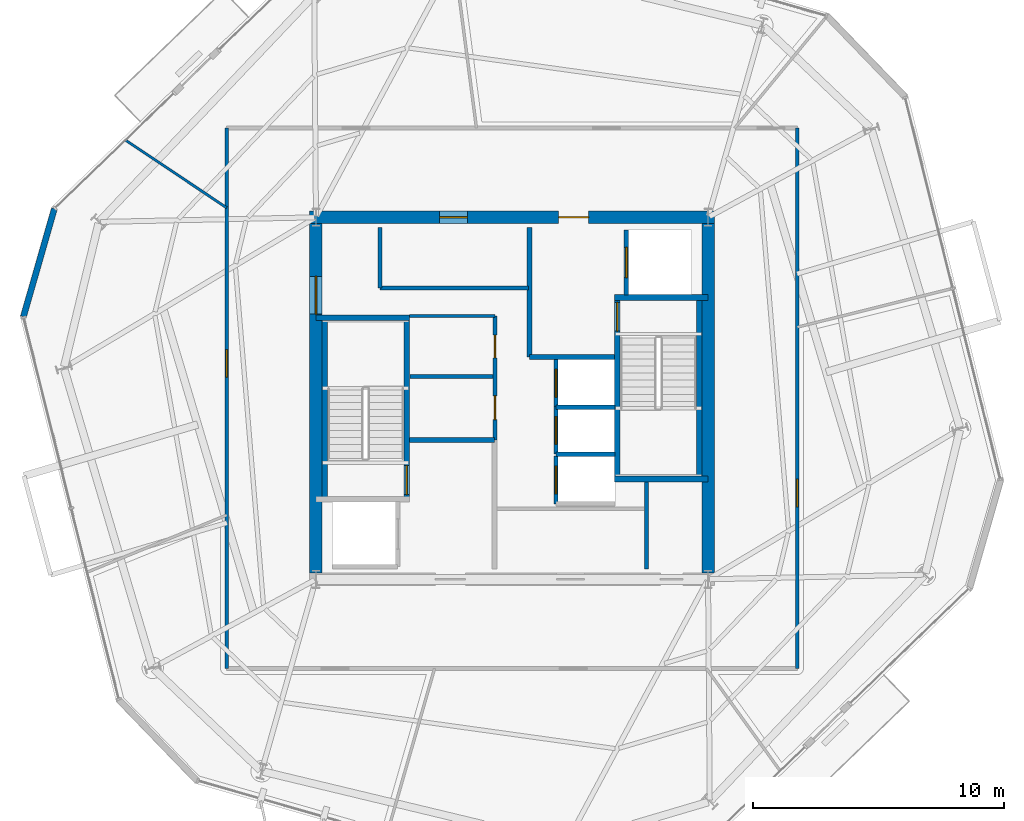
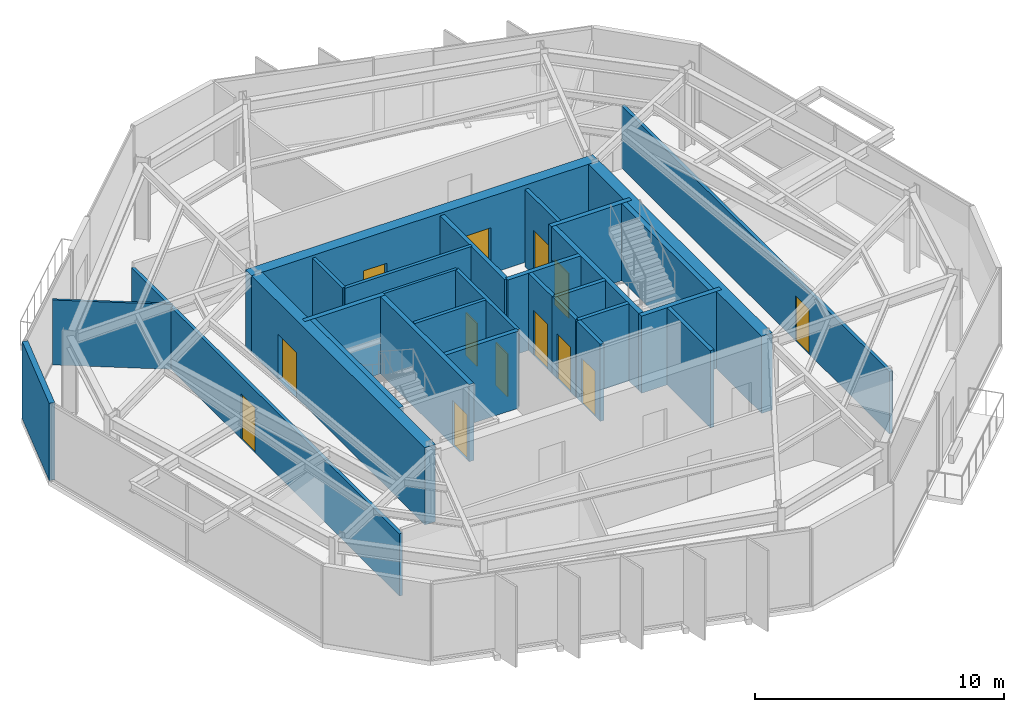
# One storey, part 7 of 10: 29 walls, 13 doors, 13 openings.
"""IFC4 building model written with IfcOpenShell, lengths in metres."""

from ifc_helpers import new_model, si_unit, direction, frame, frame_2d, origin, place, context, subcontext, project, spatial, rectangle, extrude, material, layer, layer_set, type_object, element, fill, save


model = new_model("IFC4")

# Units and contexts
model_context = context("Model", 3, precision=1e-05, world=origin(), true_north=direction((0.0, 1.0)))
body_context = subcontext(model_context, "Body", "Model", "MODEL_VIEW")
ifc_project = project(units=[si_unit("LENGTHUNIT", "METRE"), si_unit("AREAUNIT", "SQUARE_METRE"), si_unit("VOLUMEUNIT", "CUBIC_METRE"), si_unit("PLANEANGLEUNIT", "RADIAN"), si_unit("MASSUNIT", "GRAM", prefix="KILO")], contexts=[model_context])

# Site, building, storey
site_placement = place(None, origin())
site = spatial("IfcSite", under=ifc_project, at=site_placement, CompositionType="ELEMENT")
building_placement = place(site_placement, origin())
building = spatial("IfcBuilding", under=site, at=building_placement, Name="Kranzbogen Civic Tower", CompositionType="ELEMENT")
storey_placement = place(building_placement, frame((0.0, 0.0, 200.800048828125)))
storey = spatial("IfcBuildingStorey", under=building, at=storey_placement, Name="L48", CompositionType="ELEMENT", Elevation=200.800048828125)

# Walls
ifc_material_1 = material(Name="Double-Stud Acoustic Gypsum Partition")
ifc_layer_1 = layer(ifc_material_1, 0.14990234375, Name="Double-Stud Acoustic Gypsum Partition")
ifc_layer_set_1 = layer_set([ifc_layer_1], Name="Double-Stud Acoustic Gypsum Partition")
wall_type_1 = type_object("IfcWallType", Name="Acoustic Corridor and Clinical Partition 150 mm", PredefinedType="PARTITIONING", material=ifc_layer_set_1)
wall_1_placement = place(storey_placement, frame((19.75, 29.389892578125, 0.0), z_axis=(0.0, 0.0, 1.0), x_axis=(1.0, 0.0, 0.0)))
element("IfcWall", 1, at=wall_1_placement, inside=storey, type_object=wall_type_1, Name="L48 digital comms South wall", PredefinedType="PARTITIONING", context=body_context, shape_type="SweptSolid", body=[
    extrude(rectangle(XDim=5.89990234375, YDim=0.14990234375, at=frame_2d((2.949951171875, 0.0))), origin(), (0.0, 0.0, 1.0), 3.780029296875),
])
wall_2_placement = place(storey_placement, frame((19.75, 29.389892578125, 0.0), z_axis=(0.0, 0.0, 1.0), x_axis=(0.0, 1.0, 0.0)))
element("IfcWall", 2, at=wall_2_placement, inside=storey, type_object=wall_type_1, Name="L48 digital comms West wall", PredefinedType="PARTITIONING", context=body_context, shape_type="SweptSolid", body=[
    extrude(rectangle(XDim=2.41015625, YDim=0.14990234375, at=frame_2d((1.205078125, 0.0))), origin(), (0.0, 0.0, 1.0), 3.780029296875),
])

# Wall, opening, door
wall_3_placement = place(storey_placement, frame((36.35009765625, 35.75, 0.0), z_axis=(0.0, 0.0, 1.0), x_axis=(0.0, -1.0, 0.0)))
wall_3 = element("IfcWall", 3, at=wall_3_placement, inside=storey, type_object=wall_type_1, Name="L48 corridor partition 02", PredefinedType="PARTITIONING", context=body_context, shape_type="SweptSolid", body=[
    extrude(rectangle(XDim=21.5, YDim=0.14990234375, at=frame_2d((10.75, 0.0))), origin(), (0.0, 0.0, 1.0), 3.050048828125),
])
opening_1_placement = place(wall_3_placement, frame((13.968994140625, 0.0, 0.0)))
opening_1 = element("IfcOpeningElement", 4, at=opening_1_placement, cuts=wall_3, Name="Opening D-COR60", PredefinedType="OPENING", context=body_context, shape_type="SweptSolid", body=[
    extrude(rectangle(XDim=1.10009765625, YDim=2.199951171875, at=frame_2d((0.550048828125, 1.10009765625))), frame((0.0, 0.0849609375, 0.0), z_axis=(0.0, -1.0, 0.0), x_axis=(1.0, 0.0, 0.0)), (0.0, 0.0, 1.0), 0.169921875),
])
ifc_material_2 = material(Name="Oak Timber and Fire Core", Category="wood")
door_type_1 = type_object("IfcDoorType", Name="Corridor Acoustic Fire Door 1100x2200", OperationType="NOTDEFINED", PredefinedType="DOOR", material=ifc_material_2)
door_1_placement = place(opening_1_placement, origin())
door_1 = element("IfcDoor", 5, at=door_1_placement, inside=storey, type_object=door_type_1, Name="L48 Citizen Services Kiosk door", OperationType="SINGLE_SWING_RIGHT", OverallHeight=2.199951171875, OverallWidth=1.10009765625, PredefinedType="DOOR", context=body_context, shape_type="SweptSolid", body=[
    extrude(rectangle(XDim=1.10009765625, YDim=2.199951171875, at=frame_2d((0.550048828125, 1.10009765625))), frame((0.0, 0.02490234375, 0.0), z_axis=(0.0, -1.0, 0.0), x_axis=(1.0, 0.0, 0.0)), (0.0, 0.0, 1.0), 0.050048828125),
])
fill(opening_1, door_1)

wall_4_placement = place(storey_placement, frame((13.64990234375, 14.25, 0.0), z_axis=(0.0, 0.0, 1.0), x_axis=(0.0, 1.0, 0.0)))
wall_4 = element("IfcWall", 6, at=wall_4_placement, inside=storey, type_object=wall_type_1, Name="L48 corridor partition 04", PredefinedType="PARTITIONING", context=body_context, shape_type="SweptSolid", body=[
    extrude(rectangle(XDim=21.5, YDim=0.14990234375, at=frame_2d((10.75, 0.0))), origin(), (0.0, 0.0, 1.0), 3.050048828125),
])
opening_2_placement = place(wall_4_placement, frame((11.591064453125, 0.0, 0.0)))
opening_2 = element("IfcOpeningElement", 7, at=opening_2_placement, cuts=wall_4, Name="Opening D-COR60", PredefinedType="OPENING", context=body_context, shape_type="SweptSolid", body=[
    extrude(rectangle(XDim=1.10009765625, YDim=2.199951171875, at=frame_2d((0.550048828125, 1.10009765625))), frame((0.0, 0.0849609375, 0.0), z_axis=(0.0, -1.0, 0.0), x_axis=(1.0, 0.0, 0.0)), (0.0, 0.0, 1.0), 0.169921875),
])
door_2_placement = place(opening_2_placement, origin())
door_2 = element("IfcDoor", 8, at=door_2_placement, inside=storey, type_object=door_type_1, Name="L48 Civic Reference Library door", OperationType="SINGLE_SWING_LEFT", OverallHeight=2.199951171875, OverallWidth=1.10009765625, PredefinedType="DOOR", context=body_context, shape_type="SweptSolid", body=[
    extrude(rectangle(XDim=1.10009765625, YDim=2.199951171875, at=frame_2d((0.550048828125, 1.10009765625))), frame((0.0, 0.02490234375, 0.0), z_axis=(0.0, -1.0, 0.0), x_axis=(1.0, 0.0, 0.0)), (0.0, 0.0, 1.0), 0.050048828125),
])
fill(opening_2, door_2)

# Wall
ifc_material_3 = material(Name="Insulated Metal-Stud Gypsum Partition")
ifc_layer_2 = layer(ifc_material_3, 0.125, Name="Insulated Metal-Stud Gypsum Partition")
ifc_layer_set_2 = layer_set([ifc_layer_2], Name="Insulated Metal-Stud Gypsum Partition")
wall_type_2 = type_object("IfcWallType", Name="Acoustic Inter-Room Partition 125 mm", PredefinedType="PARTITIONING", material=ifc_layer_set_2)
wall_5_placement = place(storey_placement, frame((20.919921875, 28.280029296875, 0.0), z_axis=(0.0, 0.0, 1.0), x_axis=(1.0, 0.0, 0.0)))
element("IfcWall", 9, at=wall_5_placement, inside=storey, type_object=wall_type_2, Name="L48 core auxiliary North wall", PredefinedType="PARTITIONING", context=body_context, shape_type="SweptSolid", body=[
    extrude(rectangle(XDim=3.405029296875, YDim=0.125, at=frame_2d((1.70263671875, 0.0))), origin(), (0.0, 0.0, 1.0), 3.780029296875),
])

# Wall, openings, doors
ifc_material_4 = material(Name="Concrete C45/55", Category="concrete")
ifc_layer_3 = layer(ifc_material_4, 0.5, Name="Concrete C45/55")
ifc_layer_set_3 = layer_set([ifc_layer_3], Name="Concrete C45/55")
wall_type_3 = type_object("IfcWallType", Name="Central Core Shear Wall 500 mm", PredefinedType="SHEAR", material=ifc_layer_set_3)
wall_6_placement = place(storey_placement, frame((33.050048828125, 32.199951171875, 0.0), z_axis=(0.0, 0.0, 1.0), x_axis=(-1.0, 0.0, 0.0)))
wall_6 = element("IfcWall", 10, at=wall_6_placement, inside=storey, type_object=wall_type_3, Name="L48 central core North shear wall", PredefinedType="SHEAR", context=body_context, shape_type="SweptSolid", body=[
    extrude(rectangle(XDim=16.10009765625, YDim=0.5, at=frame_2d((8.050048828125, 0.0))), origin(), (0.0, 0.0, 1.0), 3.780029296875),
])
opening_3_placement = place(wall_6_placement, frame((5.0, 0.0, 0.0)))
opening_3 = element("IfcOpeningElement", 11, at=opening_3_placement, cuts=wall_6, Name="Opening D-EX120", PredefinedType="OPENING", context=body_context, shape_type="SweptSolid", body=[
    extrude(rectangle(XDim=1.199951171875, YDim=2.25, at=frame_2d((0.60009765625, 1.125))), frame((0.0, 0.260009765625, 0.0), z_axis=(0.0, -1.0, 0.0), x_axis=(1.0, 0.0, 0.0)), (0.0, 0.0, 1.0), 0.52001953125),
])
opening_4_placement = place(wall_6_placement, frame((9.824951171875, 0.0, 0.0)))
opening_4 = element("IfcOpeningElement", 12, at=opening_4_placement, cuts=wall_6, Name="Opening D-COR60", PredefinedType="OPENING", context=body_context, shape_type="SweptSolid", body=[
    extrude(rectangle(XDim=1.10009765625, YDim=2.199951171875, at=frame_2d((0.550048828125, 1.10009765625))), frame((0.0, 0.260009765625, 0.0), z_axis=(0.0, -1.0, 0.0), x_axis=(1.0, 0.0, 0.0)), (0.0, 0.0, 1.0), 0.52001953125),
])
door_3_placement = place(opening_4_placement, origin())
door_3 = element("IfcDoor", 13, at=door_3_placement, inside=storey, type_object=door_type_1, Name="L48 DAT1 comms room door", OperationType="SINGLE_SWING_RIGHT", OverallHeight=2.199951171875, OverallWidth=1.10009765625, PredefinedType="DOOR", context=body_context, shape_type="SweptSolid", body=[
    extrude(rectangle(XDim=1.10009765625, YDim=2.199951171875, at=frame_2d((0.550048828125, 1.10009765625))), frame((0.0, 0.02490234375, 0.0), z_axis=(0.0, -1.0, 0.0), x_axis=(1.0, 0.0, 0.0)), (0.0, 0.0, 1.0), 0.050048828125),
])
fill(opening_4, door_3)
ifc_material_5 = material(Name="Steel S355", Category="steel")
door_type_2 = type_object("IfcDoorType", Name="Exit Passageway Fire Door 1200x2250", OperationType="NOTDEFINED", PredefinedType="DOOR", material=ifc_material_5)
door_4_placement = place(opening_3_placement, origin())
door_4 = element("IfcDoor", 14, at=door_4_placement, inside=storey, type_object=door_type_2, Name="L48 East firefighting lobby corridor door", OperationType="SINGLE_SWING_LEFT", OverallHeight=2.25, OverallWidth=1.199951171875, PredefinedType="DOOR", context=body_context, shape_type="SweptSolid", body=[
    extrude(rectangle(XDim=1.199951171875, YDim=2.25, at=frame_2d((0.60009765625, 1.125))), frame((0.0, 0.02490234375, 0.0), z_axis=(0.0, -1.0, 0.0), x_axis=(1.0, 0.0, 0.0)), (0.0, 0.0, 1.0), 0.050048828125),
])
fill(opening_3, door_4)

# Wall, opening, door
wall_7_placement = place(storey_placement, frame((17.199951171875, 31.949951171875, 0.0), z_axis=(0.0, 0.0, 1.0), x_axis=(0.0, -1.0, 0.0)))
wall_7 = element("IfcWall", 15, at=wall_7_placement, inside=storey, type_object=wall_type_3, Name="L48 central core West shear wall", PredefinedType="SHEAR", context=body_context, shape_type="SweptSolid", body=[
    extrude(rectangle(XDim=13.89990234375, YDim=0.5, at=frame_2d((6.949951171875, 0.0))), origin(), (0.0, 0.0, 1.0), 3.780029296875),
])
opening_5_placement = place(wall_7_placement, frame((2.10009765625, 0.0, 0.0)))
opening_5 = element("IfcOpeningElement", 16, at=opening_5_placement, cuts=wall_7, Name="Opening D-DBL15", PredefinedType="OPENING", context=body_context, shape_type="SweptSolid", body=[
    extrude(rectangle(XDim=1.5, YDim=2.199951171875, at=frame_2d((0.75, 1.10009765625))), frame((0.0, 0.260009765625, 0.0), z_axis=(0.0, -1.0, 0.0), x_axis=(1.0, 0.0, 0.0)), (0.0, 0.0, 1.0), 0.52001953125),
])
ifc_material_6 = material(Name="Anodised Bronze and Glass", Category="glass")
door_type_3 = type_object("IfcDoorType", Name="Civic Lobby Double Door 1500x2200", OperationType="DOUBLE_DOOR_SINGLE_SWING", PredefinedType="DOOR", material=ifc_material_6)
door_5_placement = place(opening_5_placement, origin())
door_5 = element("IfcDoor", 17, at=door_5_placement, inside=storey, type_object=door_type_3, Name="L48 Central Lift Lobby West concourse door", OperationType="DOUBLE_DOOR_SINGLE_SWING", OverallHeight=2.199951171875, OverallWidth=1.5, PredefinedType="DOOR", context=body_context, shape_type="SweptSolid", body=[
    extrude(rectangle(XDim=1.5, YDim=2.199951171875, at=frame_2d((0.75, 1.10009765625))), frame((0.0, 0.02490234375, 0.0), z_axis=(0.0, -1.0, 0.0), x_axis=(1.0, 0.0, 0.0)), (0.0, 0.0, 1.0), 0.050048828125),
])
fill(opening_5, door_5)

# Wall
wall_8_placement = place(storey_placement, frame((32.800048828125, 18.050048828125, 0.0), z_axis=(0.0, 0.0, 1.0), x_axis=(0.0, 1.0, 0.0)))
element("IfcWall", 18, at=wall_8_placement, inside=storey, type_object=wall_type_3, Name="L48 central core East shear wall", PredefinedType="SHEAR", context=body_context, shape_type="SweptSolid", body=[
    extrude(rectangle(XDim=13.89990234375, YDim=0.5, at=frame_2d((6.949951171875, 0.0))), origin(), (0.0, 0.0, 1.0), 3.780029296875),
])

# Wall, opening, door
ifc_layer_4 = layer(ifc_material_4, 0.219970703125, Name="Concrete C45/55")
ifc_layer_set_4 = layer_set([ifc_layer_4], Name="Concrete C45/55")
wall_type_4 = type_object("IfcWallType", Name="Core Internal Stair Structural Wall 220 mm", PredefinedType="SOLIDWALL", material=ifc_layer_set_4)
wall_9_placement = place(storey_placement, frame((20.81005859375, 20.989990234375, 0.0), z_axis=(0.0, 0.0, 1.0), x_axis=(0.0, 1.0, 0.0)))
wall_9 = element("IfcWall", 19, at=wall_9_placement, inside=storey, type_object=wall_type_4, Name="L48 ST-T1 East structural stair wall", PredefinedType="SOLIDWALL", context=body_context, shape_type="SweptSolid", body=[
    extrude(rectangle(XDim=7.219970703125, YDim=0.219970703125, at=frame_2d((3.60986328125, 0.0))), origin(), (0.0, 0.0, 1.0), 3.780029296875),
])
opening_6_placement = place(wall_9_placement, frame((0.179931640625, 0.0, 0.0)))
opening_6 = element("IfcOpeningElement", 20, at=opening_6_placement, cuts=wall_9, Name="Opening D-ST90", PredefinedType="OPENING", context=body_context, shape_type="SweptSolid", body=[
    extrude(rectangle(XDim=1.14990234375, YDim=2.199951171875, at=frame_2d((0.574951171875, 1.10009765625))), frame((0.0, 0.1201171875, 0.0), z_axis=(0.0, -1.0, 0.0), x_axis=(1.0, 0.0, 0.0)), (0.0, 0.0, 1.0), 0.239990234375),
])
door_type_4 = type_object("IfcDoorType", Name="Pressurized Stair and Lobby Fire Door 1150x2200", OperationType="NOTDEFINED", PredefinedType="DOOR", material=ifc_material_5)
door_6_placement = place(opening_6_placement, origin())
door_6 = element("IfcDoor", 21, at=door_6_placement, inside=storey, type_object=door_type_4, Name="L48 Stair ST-T1 fire door", OperationType="SINGLE_SWING_RIGHT", OverallHeight=2.199951171875, OverallWidth=1.14990234375, PredefinedType="DOOR", context=body_context, shape_type="SweptSolid", body=[
    extrude(rectangle(XDim=1.14990234375, YDim=2.199951171875, at=frame_2d((0.574951171875, 1.10009765625))), frame((0.0, 0.02490234375, 0.0), z_axis=(0.0, -1.0, 0.0), x_axis=(1.0, 0.0, 0.0)), (0.0, 0.0, 1.0), 0.050048828125),
])
fill(opening_6, door_6)

# Walls
wall_10_placement = place(storey_placement, frame((17.199951171875, 28.2099609375, 0.0), z_axis=(0.0, 0.0, 1.0), x_axis=(1.0, 0.0, 0.0)))
element("IfcWall", 22, at=wall_10_placement, inside=storey, type_object=wall_type_4, Name="L48 ST-T1 North structural stair wall", PredefinedType="SOLIDWALL", context=body_context, shape_type="SweptSolid", body=[
    extrude(rectangle(XDim=3.719970703125, YDim=0.219970703125, at=frame_2d((1.85986328125, 0.0))), origin(), (0.0, 0.0, 1.0), 3.780029296875),
])
wall_11_placement = place(storey_placement, frame((17.554931640625, 28.2099609375, 0.0), z_axis=(0.0, 0.0, 1.0), x_axis=(0.0, -1.0, 0.0)))
element("IfcWall", 23, at=wall_11_placement, inside=storey, type_object=wall_type_4, Name="L48 ST-T1 West structural stair wall", PredefinedType="SOLIDWALL", context=body_context, shape_type="SweptSolid", body=[
    extrude(rectangle(XDim=7.219970703125, YDim=0.219970703125, at=frame_2d((3.60986328125, 0.0))), origin(), (0.0, 0.0, 1.0), 3.780029296875),
])

# Wall, opening, door
wall_12_placement = place(storey_placement, frame((29.18994140625, 21.7900390625, 0.0), z_axis=(0.0, 0.0, 1.0), x_axis=(0.0, 1.0, 0.0)))
wall_12 = element("IfcWall", 24, at=wall_12_placement, inside=storey, type_object=wall_type_4, Name="L48 ST-T2 West structural stair wall", PredefinedType="SOLIDWALL", context=body_context, shape_type="SweptSolid", body=[
    extrude(rectangle(XDim=7.219970703125, YDim=0.219970703125, at=frame_2d((3.60986328125, 0.0))), origin(), (0.0, 0.0, 1.0), 3.780029296875),
])
opening_7_placement = place(wall_12_placement, frame((5.8798828125, 0.0, 0.0)))
opening_7 = element("IfcOpeningElement", 25, at=opening_7_placement, cuts=wall_12, Name="Opening D-ST90", PredefinedType="OPENING", context=body_context, shape_type="SweptSolid", body=[
    extrude(rectangle(XDim=1.14990234375, YDim=2.199951171875, at=frame_2d((0.574951171875, 1.10009765625))), frame((0.0, 0.1201171875, 0.0), z_axis=(0.0, -1.0, 0.0), x_axis=(1.0, 0.0, 0.0)), (0.0, 0.0, 1.0), 0.239990234375),
])
door_7_placement = place(opening_7_placement, origin())
door_7 = element("IfcDoor", 26, at=door_7_placement, inside=storey, type_object=door_type_4, Name="L48 Stair ST-T2 fire door", OperationType="SINGLE_SWING_LEFT", OverallHeight=2.199951171875, OverallWidth=1.14990234375, PredefinedType="DOOR", context=body_context, shape_type="SweptSolid", body=[
    extrude(rectangle(XDim=1.14990234375, YDim=2.199951171875, at=frame_2d((0.574951171875, 1.10009765625))), frame((0.0, 0.02490234375, 0.0), z_axis=(0.0, -1.0, 0.0), x_axis=(1.0, 0.0, 0.0)), (0.0, 0.0, 1.0), 0.050048828125),
])
fill(opening_7, door_7)

# Walls
for number, where, z_axis, x_axis, name in (
    (27, (29.080078125, 21.7900390625, 0.0), (0.0, 0.0, 1.0), (1.0, 0.0, 0.0), "L48 ST-T2 South structural stair wall"),
    (28, (29.080078125, 29.010009765625, 0.0), (0.0, 0.0, 1.0), (1.0, 0.0, 0.0), "L48 ST-T2 North structural stair wall"),
):
    element("IfcWall", number, at=place(storey_placement, frame(where, z_axis=z_axis, x_axis=x_axis)), inside=storey, type_object=wall_type_4, Name=name, PredefinedType="SOLIDWALL", context=body_context, shape_type="SweptSolid", body=[
        extrude(rectangle(XDim=3.719970703125, YDim=0.219970703125, at=frame_2d((1.85986328125, 0.0))), origin(), (0.0, 0.0, 1.0), 3.780029296875),
    ])
wall_13_placement = place(storey_placement, frame((32.445068359375, 29.010009765625, 0.0), z_axis=(0.0, 0.0, 1.0), x_axis=(0.0, -1.0, 0.0)))
element("IfcWall", 29, at=wall_13_placement, inside=storey, type_object=wall_type_4, Name="L48 ST-T2 East structural stair wall", PredefinedType="SOLIDWALL", context=body_context, shape_type="SweptSolid", body=[
    extrude(rectangle(XDim=7.219970703125, YDim=0.219970703125, at=frame_2d((3.60986328125, 0.0))), origin(), (0.0, 0.0, 1.0), 3.780029296875),
])
ifc_material_7 = material(Name="Demountable Aluminium and Gypsum Partition", Category="aluminium")
ifc_layer_5 = layer(ifc_material_7, 0.10009765625, Name="Demountable Aluminium and Gypsum Partition")
ifc_layer_set_5 = layer_set([ifc_layer_5], Name="Demountable Aluminium and Gypsum Partition")
wall_type_5 = type_object("IfcWallType", Name="Demountable Office Partition 100 mm", PredefinedType="MOVABLE", material=ifc_layer_set_5)
wall_14_placement = place(storey_placement, frame((13.64990234375, 32.5810546875, 0.0), z_axis=(0.0, 0.0, 1.0), x_axis=(-0.831637717468, 0.555318563425, 0.0)))
element("IfcWall", 30, at=wall_14_placement, inside=storey, type_object=wall_type_5, Name="L48 radial room partition 02", PredefinedType="MOVABLE", context=body_context, shape_type="SweptSolid", body=[
    extrude(rectangle(XDim=4.82763671875, YDim=0.10009765625, at=frame_2d((2.413818359375, 0.0))), origin(), (0.0, 0.0, 1.0), 3.179931640625),
])
ifc_material_8 = material(Name="Gypsum Fireboard and Concrete Block", Category="concrete")
ifc_layer_6 = layer(ifc_material_8, 0.199951171875, Name="Gypsum Fireboard and Concrete Block")
ifc_layer_set_6 = layer_set([ifc_layer_6], Name="Gypsum Fireboard and Concrete Block")
wall_type_6 = type_object("IfcWallType", Name="Fire-Rated Exit Passageway and Stair Wall 200 mm", PredefinedType="PARTITIONING", material=ifc_layer_set_6)
wall_15_placement = place(storey_placement, frame((20.919921875, 23.35009765625, 0.0), z_axis=(0.0, 0.0, 1.0), x_axis=(1.0, 0.0, 0.0)))
element("IfcWall", 31, at=wall_15_placement, inside=storey, type_object=wall_type_6, Name="L48 West firefighting lobby North wall", PredefinedType="PARTITIONING", context=body_context, shape_type="SweptSolid", body=[
    extrude(rectangle(XDim=3.380126953125, YDim=0.199951171875, at=frame_2d((1.68994140625, 0.0))), origin(), (0.0, 0.0, 1.0), 3.780029296875),
])
wall_16_placement = place(storey_placement, frame((25.699951171875, 26.64990234375, 0.0), z_axis=(0.0, 0.0, 1.0), x_axis=(0.0, 1.0, 0.0)))
element("IfcWall", 32, at=wall_16_placement, inside=storey, type_object=wall_type_6, Name="L48 East firefighting lobby West wall", PredefinedType="PARTITIONING", context=body_context, shape_type="SweptSolid", body=[
    extrude(rectangle(XDim=5.150146484375, YDim=0.199951171875, at=frame_2d((2.5751953125, 0.0))), origin(), (0.0, 0.0, 1.0), 3.780029296875),
])
wall_17_placement = place(storey_placement, frame((25.699951171875, 26.64990234375, 0.0), z_axis=(0.0, 0.0, 1.0), x_axis=(1.0, 0.0, 0.0)))
element("IfcWall", 33, at=wall_17_placement, inside=storey, type_object=wall_type_6, Name="L48 East firefighting lobby South wall", PredefinedType="PARTITIONING", context=body_context, shape_type="SweptSolid", body=[
    extrude(rectangle(XDim=3.380126953125, YDim=0.199951171875, at=frame_2d((1.68994140625, 0.0))), origin(), (0.0, 0.0, 1.0), 3.780029296875),
])
ifc_material_9 = material(Name="Gypsum Fireboard Shaftliner")
ifc_layer_7 = layer(ifc_material_9, 0.175048828125, Name="Gypsum Fireboard Shaftliner")
ifc_layer_set_7 = layer_set([ifc_layer_7], Name="Gypsum Fireboard Shaftliner")
wall_type_7 = type_object("IfcWallType", Name="Fire-Rated Lift and Service Shaft Wall 175 mm", PredefinedType="PARTITIONING", material=ifc_layer_set_7)
wall_18_placement = place(storey_placement, frame((30.35009765625, 18.199951171875, 0.0), z_axis=(0.0, 0.0, 1.0), x_axis=(0.0, 1.0, 0.0)))
element("IfcWall", 34, at=wall_18_placement, inside=storey, type_object=wall_type_7, Name="L48 East core riser West wall", PredefinedType="PARTITIONING", context=body_context, shape_type="SweptSolid", body=[
    extrude(rectangle(XDim=3.47998046875, YDim=0.175048828125, at=frame_2d((1.739990234375, 0.0))), origin(), (0.0, 0.0, 1.0), 3.780029296875),
])

# Wall, opening, door
wall_19_placement = place(storey_placement, frame((26.75, 20.800048828125, 0.0), z_axis=(0.0, 0.0, 1.0), x_axis=(0.0, 1.0, 0.0)))
wall_19 = element("IfcWall", 35, at=wall_19_placement, inside=storey, type_object=wall_type_7, Name="L48 lift HP-01 landing wall", PredefinedType="PARTITIONING", context=body_context, shape_type="SweptSolid", body=[
    extrude(rectangle(XDim=1.89990234375, YDim=0.175048828125, at=frame_2d((0.949951171875, 0.0))), origin(), (0.0, 0.0, 1.0), 3.780029296875),
])
opening_8_placement = place(wall_19_placement, frame((0.39990234375, 0.0, 0.0)))
opening_8 = element("IfcOpeningElement", 36, at=opening_8_placement, cuts=wall_19, Name="Opening LD-HP-01", PredefinedType="OPENING", context=body_context, shape_type="SweptSolid", body=[
    extrude(rectangle(XDim=1.10009765625, YDim=2.199951171875, at=frame_2d((0.550048828125, 1.10009765625))), frame((0.0, 0.09765625, 0.0), z_axis=(0.0, -1.0, 0.0), x_axis=(1.0, 0.0, 0.0)), (0.0, 0.0, 1.0), 0.195068359375),
])
ifc_material_10 = material(Name="Pale Anodised Aluminium", Category="aluminium")
door_type_5 = type_object("IfcDoorType", Name="Passenger Lift Sliding Landing Door 1100x2200", OperationType="DOUBLE_DOOR_SLIDING", PredefinedType="DOOR", material=ifc_material_10)
door_8_placement = place(opening_8_placement, origin())
door_8 = element("IfcDoor", 37, at=door_8_placement, inside=storey, type_object=door_type_5, Name="L48 lift HP-01 sliding landing door", OperationType="DOUBLE_DOOR_SLIDING", OverallHeight=2.199951171875, OverallWidth=1.10009765625, PredefinedType="DOOR", context=body_context, shape_type="SweptSolid", body=[
    extrude(rectangle(XDim=1.10009765625, YDim=2.199951171875, at=frame_2d((0.550048828125, 1.10009765625))), frame((0.0, 0.02490234375, 0.0), z_axis=(0.0, -1.0, 0.0), x_axis=(1.0, 0.0, 0.0)), (0.0, 0.0, 1.0), 0.050048828125),
])
fill(opening_8, door_8)

wall_20_placement = place(storey_placement, frame((26.75, 22.77490234375, 0.0), z_axis=(0.0, 0.0, 1.0), x_axis=(0.0, 1.0, 0.0)))
wall_20 = element("IfcWall", 38, at=wall_20_placement, inside=storey, type_object=wall_type_7, Name="L48 lift HP-02 landing wall", PredefinedType="PARTITIONING", context=body_context, shape_type="SweptSolid", body=[
    extrude(rectangle(XDim=1.900146484375, YDim=0.175048828125, at=frame_2d((0.9501953125, 0.0))), origin(), (0.0, 0.0, 1.0), 3.780029296875),
])
opening_9_placement = place(wall_20_placement, frame((0.39990234375, 0.0, 0.0)))
opening_9 = element("IfcOpeningElement", 39, at=opening_9_placement, cuts=wall_20, Name="Opening LD-HP-02", PredefinedType="OPENING", context=body_context, shape_type="SweptSolid", body=[
    extrude(rectangle(XDim=1.10009765625, YDim=2.199951171875, at=frame_2d((0.550048828125, 1.10009765625))), frame((0.0, 0.09765625, 0.0), z_axis=(0.0, -1.0, 0.0), x_axis=(1.0, 0.0, 0.0)), (0.0, 0.0, 1.0), 0.195068359375),
])
door_9_placement = place(opening_9_placement, origin())
door_9 = element("IfcDoor", 40, at=door_9_placement, inside=storey, type_object=door_type_5, Name="L48 lift HP-02 sliding landing door", OperationType="DOUBLE_DOOR_SLIDING", OverallHeight=2.199951171875, OverallWidth=1.10009765625, PredefinedType="DOOR", context=body_context, shape_type="SweptSolid", body=[
    extrude(rectangle(XDim=1.10009765625, YDim=2.199951171875, at=frame_2d((0.550048828125, 1.10009765625))), frame((0.0, 0.02490234375, 0.0), z_axis=(0.0, -1.0, 0.0), x_axis=(1.0, 0.0, 0.0)), (0.0, 0.0, 1.0), 0.050048828125),
])
fill(opening_9, door_9)

# Wall
wall_21_placement = place(storey_placement, frame((26.75, 22.77490234375, 0.0), z_axis=(0.0, 0.0, 1.0), x_axis=(1.0, 0.0, 0.0)))
element("IfcWall", 41, at=wall_21_placement, inside=storey, type_object=wall_type_7, Name="L48 lift HP-02 side wall", PredefinedType="PARTITIONING", context=body_context, shape_type="SweptSolid", body=[
    extrude(rectangle(XDim=2.35009765625, YDim=0.175048828125, at=frame_2d((1.175048828125, 0.0))), origin(), (0.0, 0.0, 1.0), 3.780029296875),
])

# Wall, opening, door
wall_22_placement = place(storey_placement, frame((26.75, 24.64990234375, 0.0), z_axis=(0.0, 0.0, 1.0), x_axis=(0.0, 1.0, 0.0)))
wall_22 = element("IfcWall", 42, at=wall_22_placement, inside=storey, type_object=wall_type_7, Name="L48 lift HP-03 landing wall", PredefinedType="PARTITIONING", context=body_context, shape_type="SweptSolid", body=[
    extrude(rectangle(XDim=1.900146484375, YDim=0.175048828125, at=frame_2d((0.9501953125, 0.0))), origin(), (0.0, 0.0, 1.0), 3.780029296875),
])
opening_10_placement = place(wall_22_placement, frame((0.39990234375, 0.0, 0.0)))
opening_10 = element("IfcOpeningElement", 43, at=opening_10_placement, cuts=wall_22, Name="Opening LD-HP-03", PredefinedType="OPENING", context=body_context, shape_type="SweptSolid", body=[
    extrude(rectangle(XDim=1.10009765625, YDim=2.199951171875, at=frame_2d((0.550048828125, 1.10009765625))), frame((0.0, 0.09765625, 0.0), z_axis=(0.0, -1.0, 0.0), x_axis=(1.0, 0.0, 0.0)), (0.0, 0.0, 1.0), 0.195068359375),
])
door_10_placement = place(opening_10_placement, origin())
door_10 = element("IfcDoor", 44, at=door_10_placement, inside=storey, type_object=door_type_5, Name="L48 lift HP-03 sliding landing door", OperationType="DOUBLE_DOOR_SLIDING", OverallHeight=2.199951171875, OverallWidth=1.10009765625, PredefinedType="DOOR", context=body_context, shape_type="SweptSolid", body=[
    extrude(rectangle(XDim=1.10009765625, YDim=2.199951171875, at=frame_2d((0.550048828125, 1.10009765625))), frame((0.0, 0.02490234375, 0.0), z_axis=(0.0, -1.0, 0.0), x_axis=(1.0, 0.0, 0.0)), (0.0, 0.0, 1.0), 0.050048828125),
])
fill(opening_10, door_10)

# Wall
wall_23_placement = place(storey_placement, frame((26.75, 24.64990234375, 0.0), z_axis=(0.0, 0.0, 1.0), x_axis=(1.0, 0.0, 0.0)))
element("IfcWall", 45, at=wall_23_placement, inside=storey, type_object=wall_type_7, Name="L48 lift HP-03 side wall", PredefinedType="PARTITIONING", context=body_context, shape_type="SweptSolid", body=[
    extrude(rectangle(XDim=2.35009765625, YDim=0.175048828125, at=frame_2d((1.175048828125, 0.0))), origin(), (0.0, 0.0, 1.0), 3.780029296875),
])

# Wall, opening, door
wall_24_placement = place(storey_placement, frame((29.550048828125, 29.10009765625, 0.0), z_axis=(0.0, 0.0, 1.0), x_axis=(0.0, 1.0, 0.0)))
wall_24 = element("IfcWall", 46, at=wall_24_placement, inside=storey, type_object=wall_type_7, Name="L48 lift FF-02 landing wall", PredefinedType="PARTITIONING", context=body_context, shape_type="SweptSolid", body=[
    extrude(rectangle(XDim=2.599853515625, YDim=0.175048828125, at=frame_2d((1.2998046875, 0.0))), origin(), (0.0, 0.0, 1.0), 3.780029296875),
])
opening_11_placement = place(wall_24_placement, frame((0.699951171875, 0.0, 0.0)))
opening_11 = element("IfcOpeningElement", 47, at=opening_11_placement, cuts=wall_24, Name="Opening LD-FF-02", PredefinedType="OPENING", context=body_context, shape_type="SweptSolid", body=[
    extrude(rectangle(XDim=1.199951171875, YDim=2.199951171875, at=frame_2d((0.60009765625, 1.10009765625))), frame((0.0, 0.09765625, 0.0), z_axis=(0.0, -1.0, 0.0), x_axis=(1.0, 0.0, 0.0)), (0.0, 0.0, 1.0), 0.195068359375),
])
door_type_6 = type_object("IfcDoorType", Name="Firefighting and Stretcher Lift Sliding Landing Door 1200x2200", OperationType="DOUBLE_DOOR_SLIDING", PredefinedType="DOOR", material=ifc_material_10)
door_11_placement = place(opening_11_placement, origin())
door_11 = element("IfcDoor", 48, at=door_11_placement, inside=storey, type_object=door_type_6, Name="L48 lift FF-02 sliding landing door", OperationType="DOUBLE_DOOR_SLIDING", OverallHeight=2.199951171875, OverallWidth=1.199951171875, PredefinedType="DOOR", context=body_context, shape_type="SweptSolid", body=[
    extrude(rectangle(XDim=1.199951171875, YDim=2.199951171875, at=frame_2d((0.60009765625, 1.10009765625))), frame((0.0, 0.02490234375, 0.0), z_axis=(0.0, -1.0, 0.0), x_axis=(1.0, 0.0, 0.0)), (0.0, 0.0, 1.0), 0.050048828125),
])
fill(opening_11, door_11)

# Wall
ifc_layer_8 = layer(ifc_material_10, 0.239990234375, Name="Pale Anodised Aluminium")
ifc_layer_set_8 = layer_set([ifc_layer_8], Name="Pale Anodised Aluminium")
wall_type_8 = type_object("IfcWallType", Name="Insulated Aluminium Facade Portal Wall 240 mm", PredefinedType="STANDARD", material=ifc_layer_set_8)
wall_25_placement = place(storey_placement, frame((6.7958984375, 32.54296875, 0.0), z_axis=(0.0, 0.0, 1.0), x_axis=(-0.275572820258, -0.961280198868, 0.0)))
element("IfcWall", 49, at=wall_25_placement, inside=storey, type_object=wall_type_8, Name="L48 chamfered corner facade spandrel 2", PredefinedType="STANDARD", context=body_context, shape_type="SweptSolid", body=[
    extrude(rectangle(XDim=4.466796875, YDim=0.239990234375, at=frame_2d((2.2333984375, 0.0))), origin(), (0.0, 0.0, 1.0), 3.780029296875),
])

# Wall, openings, doors
ifc_material_11 = material(Name="Moisture-Resistant Gypsum Assembly")
ifc_layer_9 = layer(ifc_material_11, 0.159912109375, Name="Moisture-Resistant Gypsum Assembly")
ifc_layer_set_9 = layer_set([ifc_layer_9], Name="Moisture-Resistant Gypsum Assembly")
wall_type_9 = type_object("IfcWallType", Name="Sanitary and Plumbing Wet Wall 160 mm", PredefinedType="PLUMBINGWALL", material=ifc_layer_set_9)
wall_26_placement = place(storey_placement, frame((24.324951171875, 23.35009765625, 0.0), z_axis=(0.0, 0.0, 1.0), x_axis=(0.0, 1.0, 0.0)))
wall_26 = element("IfcWall", 50, at=wall_26_placement, inside=storey, type_object=wall_type_9, Name="L48 core auxiliary East wall", PredefinedType="PLUMBINGWALL", context=body_context, shape_type="SweptSolid", body=[
    extrude(rectangle(XDim=4.929931640625, YDim=0.159912109375, at=frame_2d((2.46484375, 0.0))), origin(), (0.0, 0.0, 1.0), 3.780029296875),
])
opening_12_placement = place(wall_26_placement, frame((0.800048828125, 0.0, 0.0)))
opening_12 = element("IfcOpeningElement", 51, at=opening_12_placement, cuts=wall_26, Name="Opening D-AWC95", PredefinedType="OPENING", context=body_context, shape_type="SweptSolid", body=[
    extrude(rectangle(XDim=0.949951171875, YDim=2.10009765625, at=frame_2d((0.47509765625, 1.050048828125))), frame((0.0, 0.08984375, 0.0), z_axis=(0.0, -1.0, 0.0), x_axis=(1.0, 0.0, 0.0)), (0.0, 0.0, 1.0), 0.179931640625),
])
opening_13_placement = place(wall_26_placement, frame((3.260009765625, 0.0, 0.0)))
opening_13 = element("IfcOpeningElement", 52, at=opening_13_placement, cuts=wall_26, Name="Opening D-WC90", PredefinedType="OPENING", context=body_context, shape_type="SweptSolid", body=[
    extrude(rectangle(XDim=0.89990234375, YDim=2.10009765625, at=frame_2d((0.449951171875, 1.050048828125))), frame((0.0, 0.08984375, 0.0), z_axis=(0.0, -1.0, 0.0), x_axis=(1.0, 0.0, 0.0)), (0.0, 0.0, 1.0), 0.179931640625),
])
ifc_material_12 = material(Name="Moisture-Resistant Laminate")
door_type_7 = type_object("IfcDoorType", Name="Accessible Restroom Door 950x2100", OperationType="NOTDEFINED", PredefinedType="DOOR", material=ifc_material_12)
door_12_placement = place(opening_12_placement, origin())
door_12 = element("IfcDoor", 53, at=door_12_placement, inside=storey, type_object=door_type_7, Name="L48 Accessible Restroom door", OperationType="SINGLE_SWING_RIGHT", OverallHeight=2.10009765625, OverallWidth=0.949951171875, PredefinedType="DOOR", context=body_context, shape_type="SweptSolid", body=[
    extrude(rectangle(XDim=0.949951171875, YDim=2.10009765625, at=frame_2d((0.47509765625, 1.050048828125))), frame((0.0, 0.02490234375, 0.0), z_axis=(0.0, -1.0, 0.0), x_axis=(1.0, 0.0, 0.0)), (0.0, 0.0, 1.0), 0.050048828125),
])
fill(opening_12, door_12)
door_type_8 = type_object("IfcDoorType", Name="Standard Restroom and Store Door 900x2100", OperationType="NOTDEFINED", PredefinedType="DOOR", material=ifc_material_12)
door_13_placement = place(opening_13_placement, origin())
door_13 = element("IfcDoor", 54, at=door_13_placement, inside=storey, type_object=door_type_8, Name="L48 Staff Restroom door", OperationType="SINGLE_SWING_LEFT", OverallHeight=2.10009765625, OverallWidth=0.89990234375, PredefinedType="DOOR", context=body_context, shape_type="SweptSolid", body=[
    extrude(rectangle(XDim=0.89990234375, YDim=2.10009765625, at=frame_2d((0.449951171875, 1.050048828125))), frame((0.0, 0.02490234375, 0.0), z_axis=(0.0, -1.0, 0.0), x_axis=(1.0, 0.0, 0.0)), (0.0, 0.0, 1.0), 0.050048828125),
])
fill(opening_13, door_13)

# Wall
wall_27_placement = place(storey_placement, frame((20.949951171875, 25.860107421875, 0.0), z_axis=(0.0, 0.0, 1.0), x_axis=(1.0, 0.0, 0.0)))
element("IfcWall", 55, at=wall_27_placement, inside=storey, type_object=wall_type_9, Name="L48 core auxiliary partition 1", PredefinedType="PLUMBINGWALL", context=body_context, shape_type="SweptSolid", body=[
    extrude(rectangle(XDim=3.300048828125, YDim=0.159912109375, at=frame_2d((1.64990234375, 0.0))), origin(), (0.0, 0.0, 1.0), 3.780029296875),
])

save(model, "model.ifc")
